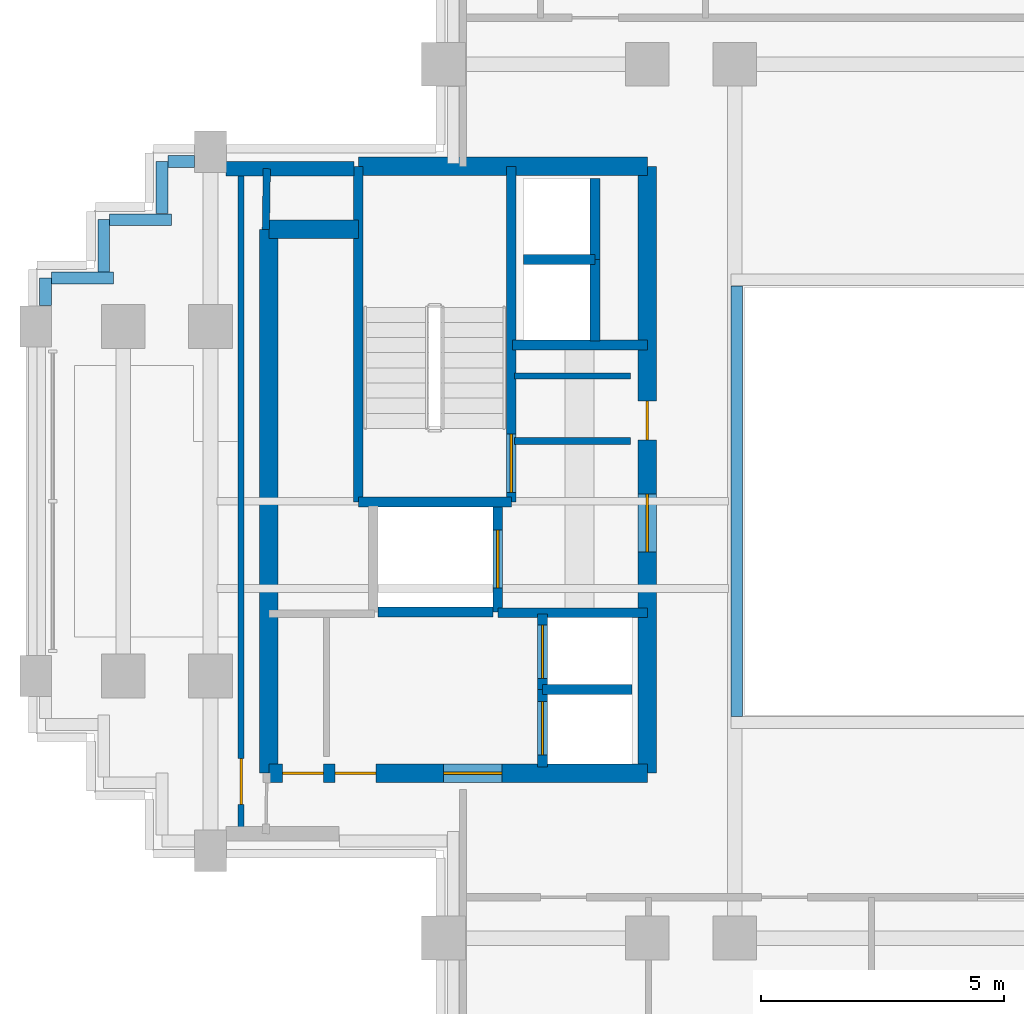
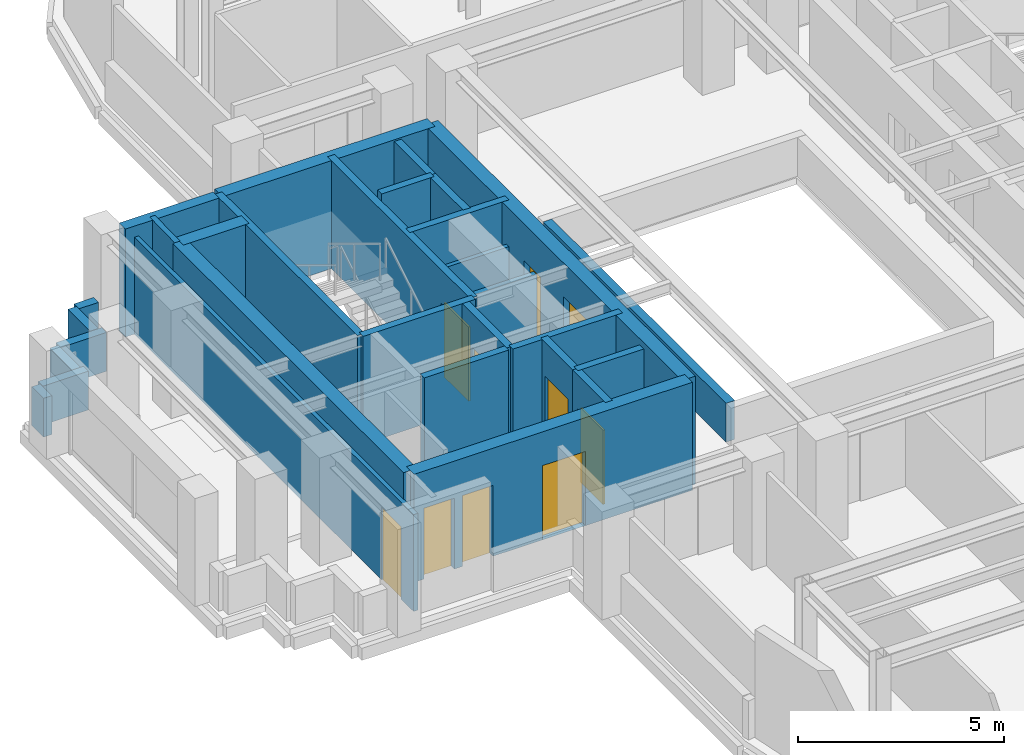
# One storey, part 6 of 11: 30 walls, 10 doors, 10 openings.
"""IFC4 building model written with IfcOpenShell, lengths in metres."""

from ifc_helpers import new_model, si_unit, direction, frame, frame_2d, origin, place, context, subcontext, project, spatial, rectangle, extrude, source, transform, mapped, material, layer, layer_set, type_object, element, fill, save


model = new_model("IFC4")

# Units and contexts
model_context = context("Model", 3, precision=1e-05, world=origin(), true_north=direction((0.0, 1.0)))
body_context = subcontext(model_context, "Body", "Model", "MODEL_VIEW")
ifc_project = project(units=[si_unit("LENGTHUNIT", "METRE"), si_unit("AREAUNIT", "SQUARE_METRE"), si_unit("VOLUMEUNIT", "CUBIC_METRE"), si_unit("PLANEANGLEUNIT", "RADIAN"), si_unit("MASSUNIT", "GRAM", prefix="KILO")], contexts=[model_context])

# Site, building, storey
site_placement = place(None, origin())
site = spatial("IfcSite", under=ifc_project, at=site_placement, CompositionType="ELEMENT")
building_placement = place(site_placement, origin())
building = spatial("IfcBuilding", under=site, at=building_placement, Name="Keilestroom Media Tower", CompositionType="ELEMENT")
storey_placement = place(building_placement, frame((0.0, 0.0, 160.39990234375)))
storey = spatial("IfcBuildingStorey", under=building, at=storey_placement, Name="L43", CompositionType="ELEMENT", Elevation=160.39990234375)

# Walls
ifc_material_1 = material(Name="Precast concrete C40/50", Category="concrete")
ifc_layer_1 = layer(ifc_material_1, 0.300048828125)
ifc_layer_set_1 = layer_set([ifc_layer_1], Name="Precast concrete C40/50")
wall_type_1 = type_object("IfcWallType", Name="Exterior-Masonry-Spandrel-Wall-300", PredefinedType="SOLIDWALL", material=ifc_layer_set_1)
wall_1_placement = place(storey_placement, frame((-14.0830078125, 6.85009765625, 0.0), z_axis=(0.0, 0.0, 1.0), x_axis=(1.0, 0.0, 0.0)))
element("IfcWall", 1, at=wall_1_placement, inside=storey, type_object=wall_type_1, Name="L43 Flank Masonry Wall EWL-L43-NW-1", PredefinedType="SOLIDWALL", context=body_context, shape_type="SweptSolid", body=[
    extrude(rectangle(XDim=2.635009765625, YDim=0.300048828125, at=frame_2d((1.3173828125, 0.0))), origin(), (0.0, 0.0, 1.0), 3.2001953125),
])
ifc_material_2 = material(Name="Gypsum Plasterboard & Steel Stud", Category="steel")
ifc_layer_2 = layer(ifc_material_2, 0.1201171875)
ifc_layer_set_2 = layer_set([ifc_layer_2], Name="Gypsum Plasterboard & Steel Stud")
wall_type_2 = type_object("IfcWallType", Name="Interior-Partition-Wall-120", PredefinedType="PARTITIONING", material=ifc_layer_set_2)
wall_2_placement = place(storey_placement, frame((-8.139892578125, 2.580078125, 0.0), z_axis=(0.0, 0.0, 1.0), x_axis=(1.0, 0.0, 0.0)))
element("IfcWall", 2, at=wall_2_placement, inside=storey, type_object=wall_type_2, Name="L43 Interior Wall WP-L43-CNW-N", PredefinedType="PARTITIONING", context=body_context, shape_type="SweptSolid", body=[
    extrude(rectangle(XDim=2.389892578125, YDim=0.1201171875, at=frame_2d((1.19482421875, 0.0))), origin(), (0.0, 0.0, 1.0), 2.300048828125),
])

# Wall, opening, door
wall_3_placement = place(storey_placement, frame((-13.77001953125, -6.85009765625, 0.0), z_axis=(0.0, 0.0, 1.0), x_axis=(0.0, 1.0, 0.0)))
wall_3 = element("IfcWall", 3, at=wall_3_placement, inside=storey, type_object=wall_type_2, Name="L43 Interior Wall WP-L43-WA-CE", PredefinedType="PARTITIONING", context=body_context, shape_type="SweptSolid", body=[
    extrude(rectangle(XDim=13.7001953125, YDim=0.1201171875, at=frame_2d((6.85009765625, 0.0))), origin(), (0.0, 0.0, 1.0), 2.8701171875),
])
opening_1_placement = place(wall_3_placement, frame((0.60009765625, 0.0, 0.0)))
opening_1 = element("IfcOpeningElement", 4, at=opening_1_placement, cuts=wall_3, Name="Opening DI-03", PredefinedType="OPENING", context=body_context, shape_type="SweptSolid", body=[
    extrude(rectangle(XDim=0.949951171875, YDim=2.14990234375, at=frame_2d((0.47509765625, 1.074951171875))), frame((0.0, 0.070068359375, 0.0), z_axis=(0.0, -1.0, 0.0), x_axis=(1.0, 0.0, 0.0)), (0.0, 0.0, 1.0), 0.14013671875),
])
ifc_material_3 = material(Name="Lacquered European Oak Leaf", Category="wood")
door_type_1 = type_object("IfcDoorType", Name="Interior-Room-And-Suite-Door-DI-03", OperationType="NOTDEFINED", PredefinedType="DOOR", material=ifc_material_3)
shared_shape_1 = source(origin(), body_context, "Body", "SweptSolid", [
    extrude(rectangle(XDim=0.949951171875, YDim=2.14990234375, at=frame_2d((0.47509765625, 1.074951171875))), frame((0.0, 0.02490234375, 0.0), z_axis=(0.0, -1.0, 0.0), x_axis=(1.0, 0.0, 0.0)), (0.0, 0.0, 1.0), 0.050048828125),
])
door_1_placement = place(opening_1_placement, origin())
door_1 = element("IfcDoor", 5, at=door_1_placement, inside=storey, type_object=door_type_1, Name="L43 Interior Door DI-L43-DWA-END", OperationType="SINGLE_SWING_LEFT", OverallHeight=2.14990234375, OverallWidth=0.949951171875, PredefinedType="DOOR", context=body_context, shape_type="MappedRepresentation", body=[
    mapped(shared_shape_1, transform((0.0, 0.0, 0.0), x_axis=(1.0, 0.0, 0.0), y_axis=(0.0, 1.0, 0.0), z_axis=(0.0, 0.0, 1.0), scale=1.0)),
])
fill(opening_1, door_1)

# Walls
ifc_layer_3 = layer(ifc_material_2, 0.14990234375)
ifc_layer_set_3 = layer_set([ifc_layer_3], Name="Gypsum Plasterboard & Steel Stud")
wall_type_3 = type_object("IfcWallType", Name="Interior-Partition-Wall-150", PredefinedType="PARTITIONING", material=ifc_layer_set_3)
wall_4_placement = place(storey_placement, frame((-8.139892578125, 1.239990234375, 0.0), z_axis=(0.0, 0.0, 1.0), x_axis=(1.0, 0.0, 0.0)))
element("IfcWall", 6, at=wall_4_placement, inside=storey, type_object=wall_type_3, Name="L43 Interior Wall WP-L43-FFW-TOP", PredefinedType="PARTITIONING", context=body_context, shape_type="SweptSolid", body=[
    extrude(rectangle(XDim=2.389892578125, YDim=0.14990234375, at=frame_2d((1.19482421875, 0.0))), origin(), (0.0, 0.0, 1.0), 2.300048828125),
])
wall_5_placement = place(storey_placement, frame((-13.260009765625, 5.60009765625, 0.0), z_axis=(0.0, 0.0, 1.0), x_axis=(0.016013571389, 0.999871774545, 0.0)))
element("IfcWall", 7, at=wall_5_placement, inside=storey, type_object=wall_type_3, Name="L43 Interior Wall WP-L43-WA-ENTN", PredefinedType="PARTITIONING", context=body_context, shape_type="SweptSolid", body=[
    extrude(rectangle(XDim=1.250244140625, YDim=0.14990234375, at=frame_2d((0.625, 0.0))), origin(), (0.0, 0.0, 1.0), 3.2001953125),
])
ifc_material_4 = material(Name="Concrete C55/67", Category="concrete")
ifc_layer_4 = layer(ifc_material_4, 0.3798828125)
ifc_layer_set_4 = layer_set([ifc_layer_4], Name="Concrete C55/67")
wall_type_4 = type_object("IfcWallType", Name="Reinforced-Concrete-Core-Shear-Wall-380", PredefinedType="SHEAR", material=ifc_layer_set_4)
wall_6_placement = place(storey_placement, frame((-13.199951171875, -5.60009765625, 0.0), z_axis=(0.0, 0.0, 1.0), x_axis=(0.0, 1.0, 0.0)))
element("IfcWall", 8, at=wall_6_placement, inside=storey, type_object=wall_type_4, Name="L43 Core Shear Wall WL-L43-CORE-W-OUT", PredefinedType="SHEAR", context=body_context, shape_type="SweptSolid", body=[
    extrude(rectangle(XDim=11.2001953125, YDim=0.3798828125, at=frame_2d((5.60009765625, 0.0))), origin(), (0.0, 0.0, 1.0), 3.2001953125),
])

# Wall, openings, doors
wall_7_placement = place(storey_placement, frame((-5.39990234375, -5.60009765625, 0.0), z_axis=(0.0, 0.0, 1.0), x_axis=(0.0, 1.0, 0.0)))
wall_7 = element("IfcWall", 9, at=wall_7_placement, inside=storey, type_object=wall_type_4, Name="L43 Core Shear Wall WL-L43-CORE-W-IN", PredefinedType="SHEAR", context=body_context, shape_type="SweptSolid", body=[
    extrude(rectangle(XDim=12.5, YDim=0.3798828125, at=frame_2d((6.25, 0.0))), origin(), (0.0, 0.0, 1.0), 3.2001953125),
])
opening_2_placement = place(wall_7_placement, frame((4.550048828125, 0.0, 0.0)))
opening_2 = element("IfcOpeningElement", 10, at=opening_2_placement, cuts=wall_7, Name="Opening DI-02", PredefinedType="OPENING", context=body_context, shape_type="SweptSolid", body=[
    extrude(rectangle(XDim=1.199951171875, YDim=2.199951171875, at=frame_2d((0.60009765625, 1.10009765625))), frame((0.0, 0.199951171875, 0.0), z_axis=(0.0, -1.0, 0.0), x_axis=(1.0, 0.0, 0.0)), (0.0, 0.0, 1.0), 0.39990234375),
])
opening_3_placement = place(wall_7_placement, frame((6.860107421875, 0.0, 0.0)))
opening_3 = element("IfcOpeningElement", 11, at=opening_3_placement, cuts=wall_7, Name="Opening DI-06", PredefinedType="OPENING", context=body_context, shape_type="SweptSolid", body=[
    extrude(rectangle(XDim=0.800048828125, YDim=2.10009765625, at=frame_2d((0.39990234375, 1.050048828125))), frame((0.0, 0.199951171875, 0.0), z_axis=(0.0, -1.0, 0.0), x_axis=(1.0, 0.0, 0.0)), (0.0, 0.0, 1.0), 0.39990234375),
])
ifc_material_5 = material(Name="Powder-Coated Steel Fire Leaf", Category="steel")
door_type_2 = type_object("IfcDoorType", Name="Interior-Compartment-Fire-Door-DI-02", OperationType="NOTDEFINED", PredefinedType="DOOR", material=ifc_material_5)
shared_shape_2 = source(origin(), body_context, "Body", "SweptSolid", [
    extrude(rectangle(XDim=1.199951171875, YDim=2.199951171875, at=frame_2d((0.60009765625, 1.10009765625))), frame((0.0, 0.02490234375, 0.0), z_axis=(0.0, -1.0, 0.0), x_axis=(1.0, 0.0, 0.0)), (0.0, 0.0, 1.0), 0.050048828125),
])
door_2_placement = place(opening_2_placement, origin())
door_2 = element("IfcDoor", 12, at=door_2_placement, inside=storey, type_object=door_type_2, Name="L43 W Firefighting Lobby Door", OperationType="SINGLE_SWING_RIGHT", OverallHeight=2.199951171875, OverallWidth=1.199951171875, PredefinedType="DOOR", context=body_context, shape_type="MappedRepresentation", body=[
    mapped(shared_shape_2, transform((0.0, 0.0, 0.0), x_axis=(1.0, 0.0, 0.0), y_axis=(0.0, 1.0, 0.0), z_axis=(0.0, 0.0, 1.0), scale=1.0)),
])
fill(opening_2, door_2)
ifc_material_6 = material(Name="Powder-Coated Steel Service Leaf", Category="steel")
door_type_3 = type_object("IfcDoorType", Name="Interior-Riser-Access-Door-DI-06", OperationType="NOTDEFINED", PredefinedType="DOOR", material=ifc_material_6)
shared_shape_3 = source(origin(), body_context, "Body", "SweptSolid", [
    extrude(rectangle(XDim=0.800048828125, YDim=2.10009765625, at=frame_2d((0.39990234375, 1.050048828125))), frame((0.0, 0.02490234375, 0.0), z_axis=(0.0, -1.0, 0.0), x_axis=(1.0, 0.0, 0.0)), (0.0, 0.0, 1.0), 0.050048828125),
])
door_3_placement = place(opening_3_placement, origin())
door_3 = element("IfcDoor", 13, at=door_3_placement, inside=storey, type_object=door_type_3, Name="L43 West Core Switchroom Door", OperationType="SINGLE_SWING_LEFT", OverallHeight=2.10009765625, OverallWidth=0.800048828125, PredefinedType="DOOR", context=body_context, shape_type="MappedRepresentation", body=[
    mapped(shared_shape_3, transform((0.0, 0.0, 0.0), x_axis=(1.0, 0.0, 0.0), y_axis=(0.0, 1.0, 0.0), z_axis=(0.0, 0.0, 1.0), scale=1.0)),
])
fill(opening_3, door_3)

# Walls
wall_8_placement = place(storey_placement, frame((-11.35595703125, 6.89990234375, 0.0), z_axis=(0.0, 0.0, 1.0), x_axis=(1.0, 0.0, 0.0)))
element("IfcWall", 14, at=wall_8_placement, inside=storey, type_object=wall_type_4, Name="L43 Core Shear Wall WL-L43-CORE-W-N", PredefinedType="SHEAR", context=body_context, shape_type="SweptSolid", body=[
    extrude(rectangle(XDim=5.9560546875, YDim=0.3798828125, at=frame_2d((2.97802734375, 0.0))), origin(), (0.0, 0.0, 1.0), 3.2001953125),
])
wall_9_placement = place(storey_placement, frame((-13.199951171875, 5.60009765625, 0.0), z_axis=(0.0, 0.0, 1.0), x_axis=(1.0, 0.0, 0.0)))
element("IfcWall", 15, at=wall_9_placement, inside=storey, type_object=wall_type_4, Name="L43 Core Shear Wall WL-L43-CNW-N", PredefinedType="SHEAR", context=body_context, shape_type="SweptSolid", body=[
    extrude(rectangle(XDim=1.843994140625, YDim=0.3798828125, at=frame_2d((0.921875, 0.0))), origin(), (0.0, 0.0, 1.0), 3.2001953125),
])

# Wall, openings, doors
wall_10_placement = place(storey_placement, frame((-13.199951171875, -5.60009765625, 0.0), z_axis=(0.0, 0.0, 1.0), x_axis=(1.0, 0.0, 0.0)))
wall_10 = element("IfcWall", 16, at=wall_10_placement, inside=storey, type_object=wall_type_4, Name="L43 Core Shear Wall WL-L43-CORE-W-S", PredefinedType="SHEAR", context=body_context, shape_type="SweptSolid", body=[
    extrude(rectangle(XDim=7.800048828125, YDim=0.3798828125, at=frame_2d((3.89990234375, 0.0))), origin(), (0.0, 0.0, 1.0), 3.2001953125),
])
opening_4_placement = place(wall_10_placement, frame((3.60009765625, 0.0, 0.0)))
opening_4 = element("IfcOpeningElement", 17, at=opening_4_placement, cuts=wall_10, Name="Opening DI-02", PredefinedType="OPENING", context=body_context, shape_type="SweptSolid", body=[
    extrude(rectangle(XDim=1.199951171875, YDim=2.199951171875, at=frame_2d((0.60009765625, 1.10009765625))), frame((0.0, 0.199951171875, 0.0), z_axis=(0.0, -1.0, 0.0), x_axis=(1.0, 0.0, 0.0)), (0.0, 0.0, 1.0), 0.39990234375),
])
opening_5_placement = place(wall_10_placement, frame((0.280029296875, 0.0, 0.0)))
opening_5 = element("IfcOpeningElement", 18, at=opening_5_placement, cuts=wall_10, Name="Opening DI-05", PredefinedType="OPENING", context=body_context, shape_type="SweptSolid", body=[
    extrude(rectangle(XDim=0.85009765625, YDim=2.10009765625, at=frame_2d((0.425048828125, 1.050048828125))), frame((0.0, 0.199951171875, 0.0), z_axis=(0.0, -1.0, 0.0), x_axis=(1.0, 0.0, 0.0)), (0.0, 0.0, 1.0), 0.39990234375),
])
opening_6_placement = place(wall_10_placement, frame((1.360107421875, 0.0, 0.0)))
opening_6 = element("IfcOpeningElement", 19, at=opening_6_placement, cuts=wall_10, Name="Opening DI-05", PredefinedType="OPENING", context=body_context, shape_type="SweptSolid", body=[
    extrude(rectangle(XDim=0.85009765625, YDim=2.10009765625, at=frame_2d((0.425048828125, 1.050048828125))), frame((0.0, 0.199951171875, 0.0), z_axis=(0.0, -1.0, 0.0), x_axis=(1.0, 0.0, 0.0)), (0.0, 0.0, 1.0), 0.39990234375),
])
door_4_placement = place(opening_4_placement, origin())
door_4 = element("IfcDoor", 20, at=door_4_placement, inside=storey, type_object=door_type_2, Name="L43 W Passenger Lift Lobby Door", OperationType="SINGLE_SWING_LEFT", OverallHeight=2.199951171875, OverallWidth=1.199951171875, PredefinedType="DOOR", context=body_context, shape_type="MappedRepresentation", body=[
    mapped(shared_shape_2, transform((0.0, 0.0, 0.0), x_axis=(1.0, 0.0, 0.0), y_axis=(0.0, 1.0, 0.0), z_axis=(0.0, 0.0, 1.0), scale=1.0)),
])
fill(opening_4, door_4)
ifc_material_7 = material(Name="Moisture-Resistant Oak Leaf", Category="wood")
door_type_4 = type_object("IfcDoorType", Name="Interior-En-Suite-And-Cupboard-Door-DI-05", OperationType="NOTDEFINED", PredefinedType="DOOR", material=ifc_material_7)
shared_shape_4 = source(origin(), body_context, "Body", "SweptSolid", [
    extrude(rectangle(XDim=0.85009765625, YDim=2.10009765625, at=frame_2d((0.425048828125, 1.050048828125))), frame((0.0, 0.02490234375, 0.0), z_axis=(0.0, -1.0, 0.0), x_axis=(1.0, 0.0, 0.0)), (0.0, 0.0, 1.0), 0.050048828125),
])
door_5_placement = place(opening_5_placement, origin())
door_5 = element("IfcDoor", 21, at=door_5_placement, inside=storey, type_object=door_type_4, Name="L43 Reclaimed West Closet 1 Door", OperationType="SINGLE_SWING_LEFT", OverallHeight=2.10009765625, OverallWidth=0.85009765625, PredefinedType="DOOR", context=body_context, shape_type="MappedRepresentation", body=[
    mapped(shared_shape_4, transform((0.0, 0.0, 0.0), x_axis=(1.0, 0.0, 0.0), y_axis=(0.0, 1.0, 0.0), z_axis=(0.0, 0.0, 1.0), scale=1.0)),
])
fill(opening_5, door_5)
door_6_placement = place(opening_6_placement, origin())
door_6 = element("IfcDoor", 22, at=door_6_placement, inside=storey, type_object=door_type_4, Name="L43 Reclaimed West Closet 2 Door", OperationType="SINGLE_SWING_RIGHT", OverallHeight=2.10009765625, OverallWidth=0.85009765625, PredefinedType="DOOR", context=body_context, shape_type="MappedRepresentation", body=[
    mapped(shared_shape_4, transform((0.0, 0.0, 0.0), x_axis=(1.0, 0.0, 0.0), y_axis=(0.0, 1.0, 0.0), z_axis=(0.0, 0.0, 1.0), scale=1.0)),
])
fill(opening_6, door_6)

# Walls
ifc_material_8 = material(Name="Concrete C50/60", Category="concrete")
ifc_layer_5 = layer(ifc_material_8, 0.199951171875)
ifc_layer_set_5 = layer_set([ifc_layer_5], Name="Concrete C50/60")
wall_type_5 = type_object("IfcWallType", Name="Reinforced-Concrete-Shaft-Wall-200", PredefinedType="SOLIDWALL", material=ifc_layer_set_5)
wall_11_placement = place(storey_placement, frame((-8.179931640625, 3.219970703125, 0.0), z_axis=(0.0, 0.0, 1.0), x_axis=(1.0, 0.0, 0.0)))
element("IfcWall", 23, at=wall_11_placement, inside=storey, type_object=wall_type_5, Name="L43 Core Shear Wall WL-L43-CORE-W-FFN", PredefinedType="SOLIDWALL", context=body_context, shape_type="SweptSolid", body=[
    extrude(rectangle(XDim=2.780029296875, YDim=0.199951171875, at=frame_2d((1.39013671875, 0.0))), origin(), (0.0, 0.0, 1.0), 3.2001953125),
])
wall_12_placement = place(storey_placement, frame((-8.47998046875, -2.300048828125, 0.0), z_axis=(0.0, 0.0, 1.0), x_axis=(1.0, 0.0, 0.0)))
element("IfcWall", 24, at=wall_12_placement, inside=storey, type_object=wall_type_5, Name="L43 Core Shear Wall WL-L43-CORE-W-FFS", PredefinedType="SOLIDWALL", context=body_context, shape_type="SweptSolid", body=[
    extrude(rectangle(XDim=3.080078125, YDim=0.199951171875, at=frame_2d((1.5400390625, 0.0))), origin(), (0.0, 0.0, 1.0), 3.2001953125),
])

# Wall, opening, door
wall_13_placement = place(storey_placement, frame((-8.2041015625, -0.01611328125, 0.0), z_axis=(0.0, 0.0, 1.0), x_axis=(0.0, 1.0, 0.0)))
wall_13 = element("IfcWall", 25, at=wall_13_placement, inside=storey, type_object=wall_type_5, Name="L43 Core Shear Wall WL-L43-STW-W-NEAR", PredefinedType="SOLIDWALL", context=body_context, shape_type="SweptSolid", body=[
    extrude(rectangle(XDim=6.916015625, YDim=0.199951171875, at=frame_2d((3.4580078125, 0.0))), origin(), (0.0, 0.0, 1.0), 3.2001953125),
])
opening_7_placement = place(wall_13_placement, frame((0.199951171875, 0.0, 0.0)))
opening_7 = element("IfcOpeningElement", 26, at=opening_7_placement, cuts=wall_13, Name="Opening DI-01S", PredefinedType="OPENING", context=body_context, shape_type="SweptSolid", body=[
    extrude(rectangle(XDim=1.199951171875, YDim=2.199951171875, at=frame_2d((0.60009765625, 1.10009765625))), frame((0.0, 0.10986328125, 0.0), z_axis=(0.0, -1.0, 0.0), x_axis=(1.0, 0.0, 0.0)), (0.0, 0.0, 1.0), 0.219970703125),
])
door_type_5 = type_object("IfcDoorType", Name="Interior-Stair-And-Core-Fire-Door-DI-01", OperationType="NOTDEFINED", PredefinedType="DOOR", material=ifc_material_5)
door_7_placement = place(opening_7_placement, origin())
door_7 = element("IfcDoor", 27, at=door_7_placement, inside=storey, type_object=door_type_5, Name="L43 Escape Stair ST-1 Fire Door", OperationType="SINGLE_SWING_LEFT", OverallHeight=2.199951171875, OverallWidth=1.199951171875, PredefinedType="DOOR", context=body_context, shape_type="MappedRepresentation", body=[
    mapped(shared_shape_2, transform((0.0, 0.0, 0.0), x_axis=(1.0, 0.0, 0.0), y_axis=(0.0, 1.0, 0.0), z_axis=(0.0, 0.0, 1.0), scale=1.0)),
])
fill(opening_7, door_7)

# Walls
wall_14_placement = place(storey_placement, frame((-11.35595703125, -0.01611328125, 0.0), z_axis=(0.0, 0.0, 1.0), x_axis=(0.0, 1.0, 0.0)))
element("IfcWall", 28, at=wall_14_placement, inside=storey, type_object=wall_type_5, Name="L43 Core Shear Wall WL-L43-STW-W-FAR", PredefinedType="SOLIDWALL", context=body_context, shape_type="SweptSolid", body=[
    extrude(rectangle(XDim=6.916015625, YDim=0.199951171875, at=frame_2d((3.4580078125, 0.0))), origin(), (0.0, 0.0, 1.0), 3.2001953125),
])
wall_15_placement = place(storey_placement, frame((-11.35595703125, -0.01611328125, 0.0), z_axis=(0.0, 0.0, 1.0), x_axis=(1.0, 0.0, 0.0)))
element("IfcWall", 29, at=wall_15_placement, inside=storey, type_object=wall_type_5, Name="L43 Core Shear Wall WL-L43-STW-W-S", PredefinedType="SOLIDWALL", context=body_context, shape_type="SweptSolid", body=[
    extrude(rectangle(XDim=3.15185546875, YDim=0.199951171875, at=frame_2d((1.575927734375, 0.0))), origin(), (0.0, 0.0, 1.0), 3.2001953125),
])

# Wall, opening, door
wall_16_placement = place(storey_placement, frame((-8.47998046875, -2.280029296875, 0.0), z_axis=(0.0, 0.0, 1.0), x_axis=(0.0, 1.0, 0.0)))
wall_16 = element("IfcWall", 30, at=wall_16_placement, inside=storey, type_object=wall_type_5, Name="L43 Core Shear Wall WL-L43-LSH-FFL-1-E", PredefinedType="SOLIDWALL", context=body_context, shape_type="SweptSolid", body=[
    extrude(rectangle(XDim=2.179931640625, YDim=0.199951171875, at=frame_2d((1.08984375, 0.0))), origin(), (0.0, 0.0, 1.0), 3.2001953125),
])
opening_8_placement = place(wall_16_placement, frame((0.489990234375, 0.0, 0.0)))
opening_8 = element("IfcOpeningElement", 31, at=opening_8_placement, cuts=wall_16, Name="Opening LD-02", PredefinedType="OPENING", context=body_context, shape_type="SweptSolid", body=[
    extrude(rectangle(XDim=1.199951171875, YDim=2.199951171875, at=frame_2d((0.60009765625, 1.10009765625))), frame((0.0, 0.10986328125, 0.0), z_axis=(0.0, -1.0, 0.0), x_axis=(1.0, 0.0, 0.0)), (0.0, 0.0, 1.0), 0.219970703125),
])
ifc_material_9 = material(Name="Brushed Stainless Steel Sliding Leaf", Category="steel")
door_type_6 = type_object("IfcDoorType", Name="Lift-Landing-Sliding-Door-LD-02", OperationType="SLIDING_TO_RIGHT", PredefinedType="DOOR", material=ifc_material_9)
door_8_placement = place(opening_8_placement, origin())
door_8 = element("IfcDoor", 32, at=door_8_placement, inside=storey, type_object=door_type_6, Name="L43 Lift FFL-1 Landing Sliding Door", OperationType="SLIDING_TO_RIGHT", OverallHeight=2.199951171875, OverallWidth=1.199951171875, PredefinedType="DOOR", context=body_context, shape_type="MappedRepresentation", body=[
    mapped(shared_shape_2, transform((0.0, 0.0, 0.0), x_axis=(1.0, 0.0, 0.0), y_axis=(0.0, 1.0, 0.0), z_axis=(0.0, 0.0, 1.0), scale=1.0)),
])
fill(opening_8, door_8)

# Wall
wall_17_placement = place(storey_placement, frame((-10.946044921875, -2.280029296875, 0.0), z_axis=(0.0, 0.0, 1.0), x_axis=(1.0, 0.0, 0.0)))
element("IfcWall", 33, at=wall_17_placement, inside=storey, type_object=wall_type_5, Name="L43 Core Shear Wall WL-L43-LSH-FFL-1-S", PredefinedType="SOLIDWALL", context=body_context, shape_type="SweptSolid", body=[
    extrude(rectangle(XDim=2.362060546875, YDim=0.199951171875, at=frame_2d((1.18115234375, 0.0))), origin(), (0.0, 0.0, 1.0), 3.2001953125),
])

# Wall, opening, door
wall_18_placement = place(storey_placement, frame((-7.56005859375, -5.47998046875, 0.0), z_axis=(0.0, 0.0, 1.0), x_axis=(0.0, 1.0, 0.0)))
wall_18 = element("IfcWall", 34, at=wall_18_placement, inside=storey, type_object=wall_type_5, Name="L43 Core Shear Wall WL-L43-LSH-PL-M1-W", PredefinedType="SOLIDWALL", context=body_context, shape_type="SweptSolid", body=[
    extrude(rectangle(XDim=1.60009765625, YDim=0.199951171875, at=frame_2d((0.800048828125, 0.0))), origin(), (0.0, 0.0, 1.0), 3.2001953125),
])
opening_9_placement = place(wall_18_placement, frame((0.25, 0.0, 0.0)))
opening_9 = element("IfcOpeningElement", 35, at=opening_9_placement, cuts=wall_18, Name="Opening LD-01", PredefinedType="OPENING", context=body_context, shape_type="SweptSolid", body=[
    extrude(rectangle(XDim=1.10009765625, YDim=2.199951171875, at=frame_2d((0.550048828125, 1.10009765625))), frame((0.0, 0.10986328125, 0.0), z_axis=(0.0, -1.0, 0.0), x_axis=(1.0, 0.0, 0.0)), (0.0, 0.0, 1.0), 0.219970703125),
])
door_type_7 = type_object("IfcDoorType", Name="Lift-Landing-Sliding-Door-LD-01", OperationType="SLIDING_TO_LEFT", PredefinedType="DOOR", material=ifc_material_9)
shared_shape_5 = source(origin(), body_context, "Body", "SweptSolid", [
    extrude(rectangle(XDim=1.10009765625, YDim=2.199951171875, at=frame_2d((0.550048828125, 1.10009765625))), frame((0.0, 0.02490234375, 0.0), z_axis=(0.0, -1.0, 0.0), x_axis=(1.0, 0.0, 0.0)), (0.0, 0.0, 1.0), 0.050048828125),
])
door_9_placement = place(opening_9_placement, origin())
door_9 = element("IfcDoor", 36, at=door_9_placement, inside=storey, type_object=door_type_7, Name="L43 Lift PL-M1 Landing Sliding Door", OperationType="SLIDING_TO_LEFT", OverallHeight=2.199951171875, OverallWidth=1.10009765625, PredefinedType="DOOR", context=body_context, shape_type="MappedRepresentation", body=[
    mapped(shared_shape_5, transform((0.0, 0.0, 0.0), x_axis=(1.0, 0.0, 0.0), y_axis=(0.0, 1.0, 0.0), z_axis=(0.0, 0.0, 1.0), scale=1.0)),
])
fill(opening_9, door_9)

# Wall
wall_19_placement = place(storey_placement, frame((-7.56005859375, -3.8798828125, 0.0), z_axis=(0.0, 0.0, 1.0), x_axis=(1.0, 0.0, 0.0)))
element("IfcWall", 37, at=wall_19_placement, inside=storey, type_object=wall_type_5, Name="L43 Core Shear Wall WL-L43-LSH-PL-M1-N", PredefinedType="SOLIDWALL", context=body_context, shape_type="SweptSolid", body=[
    extrude(rectangle(XDim=1.840087890625, YDim=0.199951171875, at=frame_2d((0.919921875, 0.0))), origin(), (0.0, 0.0, 1.0), 3.2001953125),
])

# Wall, opening, door
wall_20_placement = place(storey_placement, frame((-7.56005859375, -3.8798828125, 0.0), z_axis=(0.0, 0.0, 1.0), x_axis=(0.0, 1.0, 0.0)))
wall_20 = element("IfcWall", 38, at=wall_20_placement, inside=storey, type_object=wall_type_5, Name="L43 Core Shear Wall WL-L43-LSH-PL-M2-W", PredefinedType="SOLIDWALL", context=body_context, shape_type="SweptSolid", body=[
    extrude(rectangle(XDim=1.559814453125, YDim=0.199951171875, at=frame_2d((0.77978515625, 0.0))), origin(), (0.0, 0.0, 1.0), 3.2001953125),
])
opening_10_placement = place(wall_20_placement, frame((0.22998046875, 0.0, 0.0)))
opening_10 = element("IfcOpeningElement", 39, at=opening_10_placement, cuts=wall_20, Name="Opening LD-01", PredefinedType="OPENING", context=body_context, shape_type="SweptSolid", body=[
    extrude(rectangle(XDim=1.10009765625, YDim=2.199951171875, at=frame_2d((0.550048828125, 1.10009765625))), frame((0.0, 0.10986328125, 0.0), z_axis=(0.0, -1.0, 0.0), x_axis=(1.0, 0.0, 0.0)), (0.0, 0.0, 1.0), 0.219970703125),
])
door_10_placement = place(opening_10_placement, origin())
door_10 = element("IfcDoor", 40, at=door_10_placement, inside=storey, type_object=door_type_7, Name="L43 Lift PL-M2 Landing Sliding Door", OperationType="SLIDING_TO_LEFT", OverallHeight=2.199951171875, OverallWidth=1.10009765625, PredefinedType="DOOR", context=body_context, shape_type="MappedRepresentation", body=[
    mapped(shared_shape_5, transform((0.0, 0.0, 0.0), x_axis=(1.0, 0.0, 0.0), y_axis=(0.0, 1.0, 0.0), z_axis=(0.0, 0.0, 1.0), scale=1.0)),
])
fill(opening_10, door_10)

# Walls
wall_21_placement = place(storey_placement, frame((-6.47998046875, 3.300048828125, 0.0), z_axis=(0.0, 0.0, 1.0), x_axis=(0.0, 1.0, 0.0)))
element("IfcWall", 41, at=wall_21_placement, inside=storey, type_object=wall_type_5, Name="L43 Core Shear Wall WL-L43-LSH-PL-H1-E", PredefinedType="SOLIDWALL", context=body_context, shape_type="SweptSolid", body=[
    extrude(rectangle(XDim=1.679931640625, YDim=0.199951171875, at=frame_2d((0.83984375, 0.0))), origin(), (0.0, 0.0, 1.0), 3.2001953125),
])
wall_22_placement = place(storey_placement, frame((-7.949951171875, 4.97998046875, 0.0), z_axis=(0.0, 0.0, 1.0), x_axis=(1.0, 0.0, 0.0)))
element("IfcWall", 42, at=wall_22_placement, inside=storey, type_object=wall_type_5, Name="L43 Core Shear Wall WL-L43-LSH-PL-H1-N", PredefinedType="SOLIDWALL", context=body_context, shape_type="SweptSolid", body=[
    extrude(rectangle(XDim=1.469970703125, YDim=0.199951171875, at=frame_2d((0.73486328125, 0.0))), origin(), (0.0, 0.0, 1.0), 3.2001953125),
])
wall_23_placement = place(storey_placement, frame((-6.47998046875, 4.97998046875, 0.0), z_axis=(0.0, 0.0, 1.0), x_axis=(0.0, 1.0, 0.0)))
element("IfcWall", 43, at=wall_23_placement, inside=storey, type_object=wall_type_5, Name="L43 Core Shear Wall WL-L43-LSH-PL-H2-E", PredefinedType="SOLIDWALL", context=body_context, shape_type="SweptSolid", body=[
    extrude(rectangle(XDim=1.669921875, YDim=0.199951171875, at=frame_2d((0.8349609375, 0.0))), origin(), (0.0, 0.0, 1.0), 3.2001953125),
])
ifc_layer_6 = layer(ifc_material_1, 0.239990234375)
ifc_layer_set_6 = layer_set([ifc_layer_6], Name="Precast concrete C40/50")
wall_type_6 = type_object("IfcWallType", Name="Roof-And-Terrace-Parapet-Wall-240", PredefinedType="PARAPET", material=ifc_layer_set_6)
wall_24_placement = place(storey_placement, frame((-17.800048828125, 4.028076171875, 0.0), z_axis=(0.0, 0.0, 1.0), x_axis=(0.0, 1.0, 0.0)))
element("IfcWall", 44, at=wall_24_placement, inside=storey, type_object=wall_type_6, Name="L43 Perimeter Edge Parapet Wall 20", PredefinedType="PARAPET", context=body_context, shape_type="SweptSolid", body=[
    extrude(rectangle(XDim=0.572021484375, YDim=0.239990234375, at=frame_2d((0.2861328125, 0.0))), origin(), (0.0, 0.0, 1.0), 1.150146484375),
])
wall_25_placement = place(storey_placement, frame((-17.677001953125, 4.60009765625, 0.0), z_axis=(0.0, 0.0, 1.0), x_axis=(1.0, 0.0, 0.0)))
element("IfcWall", 45, at=wall_25_placement, inside=storey, type_object=wall_type_6, Name="L43 Perimeter Edge Parapet Wall 21", PredefinedType="PARAPET", context=body_context, shape_type="SweptSolid", body=[
    extrude(rectangle(XDim=1.277099609375, YDim=0.239990234375, at=frame_2d((0.638671875, 0.0))), origin(), (0.0, 0.0, 1.0), 1.150146484375),
])
wall_26_placement = place(storey_placement, frame((-16.60009765625, 4.722900390625, 0.0), z_axis=(0.0, 0.0, 1.0), x_axis=(0.0, 1.0, 0.0)))
element("IfcWall", 46, at=wall_26_placement, inside=storey, type_object=wall_type_6, Name="L43 Perimeter Edge Parapet Wall 22", PredefinedType="PARAPET", context=body_context, shape_type="SweptSolid", body=[
    extrude(rectangle(XDim=1.0771484375, YDim=0.239990234375, at=frame_2d((0.53857421875, 0.0))), origin(), (0.0, 0.0, 1.0), 1.150146484375),
])
wall_27_placement = place(storey_placement, frame((-16.47705078125, 5.800048828125, 0.0), z_axis=(0.0, 0.0, 1.0), x_axis=(1.0, 0.0, 0.0)))
element("IfcWall", 47, at=wall_27_placement, inside=storey, type_object=wall_type_6, Name="L43 Perimeter Edge Parapet Wall 23", PredefinedType="PARAPET", context=body_context, shape_type="SweptSolid", body=[
    extrude(rectangle(XDim=1.277099609375, YDim=0.239990234375, at=frame_2d((0.638671875, 0.0))), origin(), (0.0, 0.0, 1.0), 1.150146484375),
])
wall_28_placement = place(storey_placement, frame((-15.39990234375, 5.923095703125, 0.0), z_axis=(0.0, 0.0, 1.0), x_axis=(0.0, 1.0, 0.0)))
element("IfcWall", 48, at=wall_28_placement, inside=storey, type_object=wall_type_6, Name="L43 Perimeter Edge Parapet Wall 24", PredefinedType="PARAPET", context=body_context, shape_type="SweptSolid", body=[
    extrude(rectangle(XDim=1.076904296875, YDim=0.239990234375, at=frame_2d((0.53857421875, 0.0))), origin(), (0.0, 0.0, 1.0), 1.150146484375),
])
wall_29_placement = place(storey_placement, frame((-15.277099609375, 7.0, 0.0), z_axis=(0.0, 0.0, 1.0), x_axis=(1.0, 0.0, 0.0)))
element("IfcWall", 49, at=wall_29_placement, inside=storey, type_object=wall_type_6, Name="L43 Perimeter Edge Parapet Wall 25", PredefinedType="PARAPET", context=body_context, shape_type="SweptSolid", body=[
    extrude(rectangle(XDim=0.549072265625, YDim=0.239990234375, at=frame_2d((0.2744140625, 0.0))), origin(), (0.0, 0.0, 1.0), 1.150146484375),
])
wall_30_placement = place(storey_placement, frame((-3.56005859375, -4.43505859375, 0.0), z_axis=(0.0, 0.0, 1.0), x_axis=(0.0, 1.0, 0.0)))
element("IfcWall", 50, at=wall_30_placement, inside=storey, type_object=wall_type_6, Name="L43 Central Atrium Guard Parapet W", PredefinedType="PARAPET", context=body_context, shape_type="SweptSolid", body=[
    extrude(rectangle(XDim=8.8701171875, YDim=0.239990234375, at=frame_2d((4.43505859375, 0.0))), origin(), (0.0, 0.0, 1.0), 1.150146484375),
])

save(model, "model.ifc")
